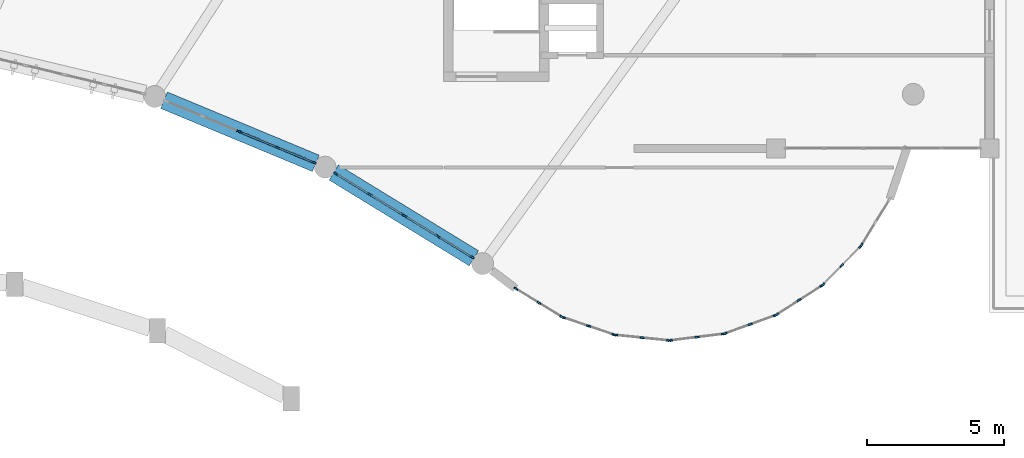
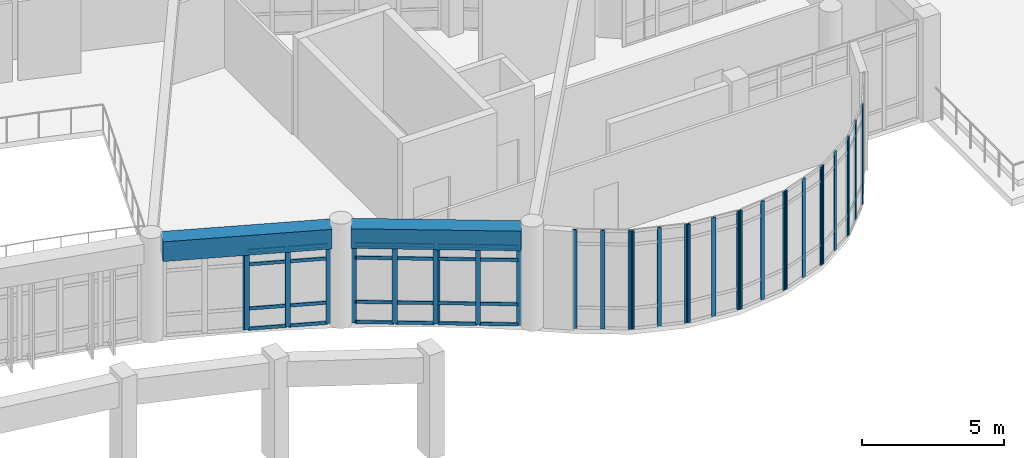
# One storey, part 16 of 54: 56 members, 2 beams, 12 elements without a shape of their own.
"""IFC4 building model written with IfcOpenShell, lengths in metres."""

from ifc_helpers import new_model, si_unit, direction, frame, origin, origin_2d, place, context, subcontext, project, spatial, rectangle, extrude, material, layer, layer_set, material_profile, profile_set, type_object, element, aggregate, save


model = new_model("IFC4")

# Units and contexts
model_context = context("Model", 3, precision=1e-05, world=origin(), true_north=direction((0.0, 1.0)))
body_context = subcontext(model_context, "Body", "Model", "MODEL_VIEW")
ifc_project = project(units=[si_unit("LENGTHUNIT", "METRE"), si_unit("AREAUNIT", "SQUARE_METRE"), si_unit("VOLUMEUNIT", "CUBIC_METRE"), si_unit("PLANEANGLEUNIT", "RADIAN"), si_unit("MASSUNIT", "GRAM", prefix="KILO")], contexts=[model_context])

# Site, building, storey
site_placement = place(None, origin())
site = spatial("IfcSite", under=ifc_project, at=site_placement, CompositionType="ELEMENT")
building_placement = place(site_placement, origin())
building = spatial("IfcBuilding", under=site, at=building_placement, Name="Miralva Faculty of Natural Sciences", CompositionType="ELEMENT")
storey_placement = place(building_placement, frame((0.0, 0.0, 19.5)))
storey = spatial("IfcBuildingStorey", under=building, at=storey_placement, Name="L04", CompositionType="ELEMENT", Elevation=19.5)

# Beams
ifc_material_1 = material(Name="Concrete C40/50", Category="concrete")
ifc_material_profile_1 = material_profile(ifc_material_1, rectangle(XDim=0.64990234375, YDim=0.85009765625, at=origin_2d()), Name="RC 650x850")
ifc_profile_set_1 = profile_set([ifc_material_profile_1], Name="Concrete C40/50")
beam_type = type_object("IfcBeamType", Name="BM-SP03", PredefinedType="SPANDREL", material=ifc_profile_set_1)
beam_1_placement = place(storey_placement, frame((114.9560546875, 13.982177734375, 3.8349609375), z_axis=(-0.85286755932, 0.52212730848, 0.0), x_axis=(-0.52212730848, -0.85286755932, 0.0)))
element("IfcBeam", 1, at=beam_1_placement, inside=storey, type_object=beam_type, Name="Curved chord girder ARCIN L04-1", PredefinedType="SPANDREL", context=body_context, shape_type="SweptSolid", body=[
    extrude(rectangle(XDim=0.64990234375, YDim=0.85009765625, at=origin_2d()), origin(), (0.0, 0.0, 1.0), 6.005615234375),
])
beam_2_placement = place(storey_placement, frame((109.18017578125, 17.451416015625, 3.8349609375), z_axis=(-0.923386658192, 0.383871175621, 0.0), x_axis=(-0.383871175621, -0.923386658192, 0.0)))
element("IfcBeam", 2, at=beam_2_placement, inside=storey, type_object=beam_type, Name="Curved chord girder ARCIN L04-2", PredefinedType="SPANDREL", context=body_context, shape_type="SweptSolid", body=[
    extrude(rectangle(XDim=0.64990234375, YDim=0.85009765625, at=origin_2d()), origin(), (0.0, 0.0, 1.0), 6.0107421875),
])

# Curtain wall, member
ifc_material_2 = material(Name="Laminated solar-control glass", Category="glass")
ifc_layer_1 = layer(ifc_material_2, 0.179931640625, Name="CW-ARC-L03")
ifc_layer_set_1 = layer_set([ifc_layer_1], Name="Laminated solar-control glass")
curtain_wall_type_1 = type_object("IfcCurtainWallType", Name="CW-ARC-L03", PredefinedType="USERDEFINED", material=ifc_layer_set_1)
curtain_wall_1_placement = place(storey_placement, origin())
curtain_wall_1 = element("IfcCurtainWall", 3, at=curtain_wall_1_placement, inside=storey, type_object=curtain_wall_type_1, Name="Curtain wall CW-03 L04-169", ObjectType="UNITISED CURTAIN WALL", PredefinedType="USERDEFINED")
ifc_material_3 = material(Name="Anodised aluminium", Category="aluminium")
ifc_material_profile_2 = material_profile(ifc_material_3, rectangle(XDim=0.06494140625, YDim=0.179931640625, at=origin_2d()), Name="MULLION 65x180")
ifc_profile_set_2 = profile_set([ifc_material_profile_2], Name="Anodised aluminium")
member_type_1 = type_object("IfcMemberType", Name="CW-M01", PredefinedType="MULLION", material=ifc_profile_set_2)
member_1_placement = place(storey_placement, frame((106.374755859375, 18.616943359375, 0.0), z_axis=(0.0, 0.0, 1.0), x_axis=(0.382656259046, 0.9238907876, 0.0)))
member_1 = element("IfcMember", 4, at=member_1_placement, type_object=member_type_1, Name="CW-03 mullion 3", PredefinedType="MULLION", context=body_context, shape_type="SweptSolid", body=[
    extrude(rectangle(XDim=0.06494140625, YDim=0.179931640625, at=origin_2d()), origin(), (0.0, 0.0, 1.0), 3.405029296875),
])
aggregate(curtain_wall_1, [member_1])

# Curtain wall, members
curtain_wall_2_placement = place(storey_placement, origin())
curtain_wall_2 = element("IfcCurtainWall", 5, at=curtain_wall_2_placement, inside=storey, type_object=curtain_wall_type_1, Name="Curtain wall CW-03 L04-170", ObjectType="UNITISED CURTAIN WALL", PredefinedType="USERDEFINED")
member_2_placement = place(storey_placement, frame((106.43017578125, 18.59375, 0.0), z_axis=(0.0, 0.0, 1.0), x_axis=(0.382695483705, 0.923874540591, 0.0)))
member_2 = element("IfcMember", 6, at=member_2_placement, type_object=member_type_1, Name="CW-03 mullion 1", PredefinedType="MULLION", context=body_context, shape_type="SweptSolid", body=[
    extrude(rectangle(XDim=0.06494140625, YDim=0.179931640625, at=origin_2d()), origin(), (0.0, 0.0, 1.0), 3.405029296875),
])
member_3_placement = place(storey_placement, frame((107.76904296875, 18.039306640625, 0.0), z_axis=(0.0, 0.0, 1.0), x_axis=(0.382695483705, 0.923874540591, 0.0)))
member_3 = element("IfcMember", 7, at=member_3_placement, type_object=member_type_1, Name="CW-03 mullion 2", PredefinedType="MULLION", context=body_context, shape_type="SweptSolid", body=[
    extrude(rectangle(XDim=0.06494140625, YDim=0.179931640625, at=origin_2d()), origin(), (0.0, 0.0, 1.0), 3.405029296875),
])
member_4_placement = place(storey_placement, frame((109.108154296875, 17.484619140625, 0.0), z_axis=(0.0, 0.0, 1.0), x_axis=(0.382695483705, 0.923874540591, 0.0)))
member_4 = element("IfcMember", 8, at=member_4_placement, type_object=member_type_1, Name="CW-03 mullion 3", PredefinedType="MULLION", context=body_context, shape_type="SweptSolid", body=[
    extrude(rectangle(XDim=0.06494140625, YDim=0.179931640625, at=origin_2d()), origin(), (0.0, 0.0, 1.0), 3.405029296875),
])

curtain_wall_3_placement = place(storey_placement, origin())
curtain_wall_3 = element("IfcCurtainWall", 9, at=curtain_wall_3_placement, inside=storey, type_object=curtain_wall_type_1, Name="Curtain wall CW-03 L04-171", ObjectType="UNITISED CURTAIN WALL", PredefinedType="USERDEFINED")
member_5_placement = place(storey_placement, frame((109.91162109375, 17.07421875, 0.0), z_axis=(0.0, 0.0, 1.0), x_axis=(0.522482534269, 0.852649987617, 0.0)))
member_5 = element("IfcMember", 10, at=member_5_placement, type_object=member_type_1, Name="CW-03 mullion 1", PredefinedType="MULLION", context=body_context, shape_type="SweptSolid", body=[
    extrude(rectangle(XDim=0.06494140625, YDim=0.179931640625, at=origin_2d()), origin(), (0.0, 0.0, 1.0), 3.405029296875),
])
member_6_placement = place(storey_placement, frame((111.14111328125, 16.32080078125, 0.0), z_axis=(0.0, 0.0, 1.0), x_axis=(0.522482534269, 0.852649987617, 0.0)))
member_6 = element("IfcMember", 11, at=member_6_placement, type_object=member_type_1, Name="CW-03 mullion 2", PredefinedType="MULLION", context=body_context, shape_type="SweptSolid", body=[
    extrude(rectangle(XDim=0.06494140625, YDim=0.179931640625, at=origin_2d()), origin(), (0.0, 0.0, 1.0), 3.405029296875),
])
member_7_placement = place(storey_placement, frame((112.37060546875, 15.5673828125, 0.0), z_axis=(0.0, 0.0, 1.0), x_axis=(0.522482534269, 0.852649987617, 0.0)))
member_7 = element("IfcMember", 12, at=member_7_placement, type_object=member_type_1, Name="CW-03 mullion 3", PredefinedType="MULLION", context=body_context, shape_type="SweptSolid", body=[
    extrude(rectangle(XDim=0.06494140625, YDim=0.179931640625, at=origin_2d()), origin(), (0.0, 0.0, 1.0), 3.405029296875),
])

curtain_wall_4_placement = place(storey_placement, origin())
curtain_wall_4 = element("IfcCurtainWall", 13, at=curtain_wall_4_placement, inside=storey, type_object=curtain_wall_type_1, Name="Curtain wall CW-03 L04-172", ObjectType="UNITISED CURTAIN WALL", PredefinedType="USERDEFINED")
member_8_placement = place(storey_placement, frame((112.421630859375, 15.5361328125, 0.0), z_axis=(0.0, 0.0, 1.0), x_axis=(0.522489018681, 0.852646014098, 0.0)))
member_8 = element("IfcMember", 14, at=member_8_placement, type_object=member_type_1, Name="CW-03 mullion 1", PredefinedType="MULLION", context=body_context, shape_type="SweptSolid", body=[
    extrude(rectangle(XDim=0.06494140625, YDim=0.179931640625, at=origin_2d()), origin(), (0.0, 0.0, 1.0), 3.405029296875),
])
member_9_placement = place(storey_placement, frame((113.653076171875, 14.781494140625, 0.0), z_axis=(0.0, 0.0, 1.0), x_axis=(0.522489018681, 0.852646014098, 0.0)))
member_9 = element("IfcMember", 15, at=member_9_placement, type_object=member_type_1, Name="CW-03 mullion 2", PredefinedType="MULLION", context=body_context, shape_type="SweptSolid", body=[
    extrude(rectangle(XDim=0.06494140625, YDim=0.179931640625, at=origin_2d()), origin(), (0.0, 0.0, 1.0), 3.405029296875),
])
member_10_placement = place(storey_placement, frame((114.884765625, 14.02685546875, 0.0), z_axis=(0.0, 0.0, 1.0), x_axis=(0.522489018681, 0.852646014098, 0.0)))
member_10 = element("IfcMember", 16, at=member_10_placement, type_object=member_type_1, Name="CW-03 mullion 3", PredefinedType="MULLION", context=body_context, shape_type="SweptSolid", body=[
    extrude(rectangle(XDim=0.06494140625, YDim=0.179931640625, at=origin_2d()), origin(), (0.0, 0.0, 1.0), 3.405029296875),
])

# Curtain wall, member
ifc_layer_2 = layer(ifc_material_2, 0.179931640625, Name="CW-RND-L03")
ifc_layer_set_2 = layer_set([ifc_layer_2], Name="Laminated solar-control glass")
curtain_wall_type_2 = type_object("IfcCurtainWallType", Name="CW-RND-L03", PredefinedType="USERDEFINED", material=ifc_layer_set_2)
curtain_wall_5_placement = place(storey_placement, origin())
curtain_wall_5 = element("IfcCurtainWall", 17, at=curtain_wall_5_placement, inside=storey, type_object=curtain_wall_type_2, Name="Curtain wall CW-06 L04-197", ObjectType="UNITISED CURTAIN WALL", PredefinedType="USERDEFINED")
ifc_material_profile_3 = material_profile(ifc_material_3, rectangle(XDim=0.06494140625, YDim=0.159912109375, at=origin_2d()), Name="MULLION 65x160")
ifc_profile_set_3 = profile_set([ifc_material_profile_3], Name="Anodised aluminium")
member_type_2 = type_object("IfcMemberType", Name="CW-M02", PredefinedType="MULLION", material=ifc_profile_set_3)
member_11_placement = place(storey_placement, frame((129.12353515625, 14.46337890625, 0.0), z_axis=(0.0, 0.0, 1.0), x_axis=(-0.851994617353, 0.523550543884, 0.0)))
member_11 = element("IfcMember", 18, at=member_11_placement, type_object=member_type_2, Name="CW-06 mullion 1", PredefinedType="MULLION", context=body_context, shape_type="SweptSolid", body=[
    extrude(rectangle(XDim=0.06494140625, YDim=0.159912109375, at=origin_2d()), origin(), (0.0, 0.0, 1.0), 4.25),
])
aggregate(curtain_wall_5, [member_11])

# Curtain wall, members
curtain_wall_6_placement = place(storey_placement, origin())
curtain_wall_6 = element("IfcCurtainWall", 19, at=curtain_wall_6_placement, inside=storey, type_object=curtain_wall_type_2, Name="Curtain wall CW-06 L04-198", ObjectType="UNITISED CURTAIN WALL", PredefinedType="USERDEFINED")
member_12_placement = place(storey_placement, frame((127.718505859375, 13.01953125, 0.0), z_axis=(0.0, 0.0, 1.0), x_axis=(-0.714124749017, 0.700018458929, 0.0)))
member_12 = element("IfcMember", 20, at=member_12_placement, type_object=member_type_2, Name="CW-06 mullion 1", PredefinedType="MULLION", context=body_context, shape_type="SweptSolid", body=[
    extrude(rectangle(XDim=0.06494140625, YDim=0.159912109375, at=origin_2d()), origin(), (0.0, 0.0, 1.0), 4.25),
])
member_13_placement = place(storey_placement, frame((128.40283203125, 13.7177734375, 0.0), z_axis=(0.0, 0.0, 1.0), x_axis=(-0.714124749017, 0.700018458929, 0.0)))
member_13 = element("IfcMember", 21, at=member_13_placement, type_object=member_type_2, Name="CW-06 mullion 2", PredefinedType="MULLION", context=body_context, shape_type="SweptSolid", body=[
    extrude(rectangle(XDim=0.06494140625, YDim=0.159912109375, at=origin_2d()), origin(), (0.0, 0.0, 1.0), 4.25),
])
member_14_placement = place(storey_placement, frame((129.087158203125, 14.416015625, 0.0), z_axis=(0.0, 0.0, 1.0), x_axis=(-0.714124749017, 0.700018458929, 0.0)))
member_14 = element("IfcMember", 22, at=member_14_placement, type_object=member_type_2, Name="CW-06 mullion 3", PredefinedType="MULLION", context=body_context, shape_type="SweptSolid", body=[
    extrude(rectangle(XDim=0.06494140625, YDim=0.159912109375, at=origin_2d()), origin(), (0.0, 0.0, 1.0), 4.25),
])
aggregate(curtain_wall_6, [member_12, member_13, member_14])

curtain_wall_7_placement = place(storey_placement, origin())
curtain_wall_7 = element("IfcCurtainWall", 23, at=curtain_wall_7_placement, inside=storey, type_object=curtain_wall_type_2, Name="Curtain wall CW-06 L04-199", ObjectType="UNITISED CURTAIN WALL", PredefinedType="USERDEFINED")
member_15_placement = place(storey_placement, frame((126.02734375, 11.9248046875, 0.0), z_axis=(0.0, 0.0, 1.0), x_axis=(-0.540444854725, 0.841379438185, 0.0)))
member_15 = element("IfcMember", 24, at=member_15_placement, type_object=member_type_2, Name="CW-06 mullion 1", PredefinedType="MULLION", context=body_context, shape_type="SweptSolid", body=[
    extrude(rectangle(XDim=0.06494140625, YDim=0.159912109375, at=origin_2d()), origin(), (0.0, 0.0, 1.0), 4.25),
])
member_16_placement = place(storey_placement, frame((126.849853515625, 12.453125, 0.0), z_axis=(0.0, 0.0, 1.0), x_axis=(-0.540444854725, 0.841379438185, 0.0)))
member_16 = element("IfcMember", 25, at=member_16_placement, type_object=member_type_2, Name="CW-06 mullion 2", PredefinedType="MULLION", context=body_context, shape_type="SweptSolid", body=[
    extrude(rectangle(XDim=0.06494140625, YDim=0.159912109375, at=origin_2d()), origin(), (0.0, 0.0, 1.0), 4.25),
])
member_17_placement = place(storey_placement, frame((127.672607421875, 12.9814453125, 0.0), z_axis=(0.0, 0.0, 1.0), x_axis=(-0.540444854725, 0.841379438185, 0.0)))
member_17 = element("IfcMember", 26, at=member_17_placement, type_object=member_type_2, Name="CW-06 mullion 3", PredefinedType="MULLION", context=body_context, shape_type="SweptSolid", body=[
    extrude(rectangle(XDim=0.06494140625, YDim=0.159912109375, at=origin_2d()), origin(), (0.0, 0.0, 1.0), 4.25),
])
aggregate(curtain_wall_7, [member_15, member_16, member_17])

curtain_wall_8_placement = place(storey_placement, origin())
curtain_wall_8 = element("IfcCurtainWall", 27, at=curtain_wall_8_placement, inside=storey, type_object=curtain_wall_type_2, Name="Curtain wall CW-06 L04-200", ObjectType="UNITISED CURTAIN WALL", PredefinedType="USERDEFINED")
member_18_placement = place(storey_placement, frame((124.135009765625, 11.233642578125, 0.0), z_axis=(0.0, 0.0, 1.0), x_axis=(-0.339695547876, 0.940535451088, 0.0)))
member_18 = element("IfcMember", 28, at=member_18_placement, type_object=member_type_2, Name="CW-06 mullion 1", PredefinedType="MULLION", context=body_context, shape_type="SweptSolid", body=[
    extrude(rectangle(XDim=0.06494140625, YDim=0.159912109375, at=origin_2d()), origin(), (0.0, 0.0, 1.0), 4.25),
])
member_19_placement = place(storey_placement, frame((125.0546875, 11.565673828125, 0.0), z_axis=(0.0, 0.0, 1.0), x_axis=(-0.339695547876, 0.940535451088, 0.0)))
member_19 = element("IfcMember", 29, at=member_19_placement, type_object=member_type_2, Name="CW-06 mullion 2", PredefinedType="MULLION", context=body_context, shape_type="SweptSolid", body=[
    extrude(rectangle(XDim=0.06494140625, YDim=0.159912109375, at=origin_2d()), origin(), (0.0, 0.0, 1.0), 4.25),
])
member_20_placement = place(storey_placement, frame((125.97412109375, 11.89794921875, 0.0), z_axis=(0.0, 0.0, 1.0), x_axis=(-0.339695547876, 0.940535451088, 0.0)))
member_20 = element("IfcMember", 30, at=member_20_placement, type_object=member_type_2, Name="CW-06 mullion 3", PredefinedType="MULLION", context=body_context, shape_type="SweptSolid", body=[
    extrude(rectangle(XDim=0.06494140625, YDim=0.159912109375, at=origin_2d()), origin(), (0.0, 0.0, 1.0), 4.25),
])
aggregate(curtain_wall_8, [member_18, member_19, member_20])

curtain_wall_9_placement = place(storey_placement, origin())
curtain_wall_9 = element("IfcCurtainWall", 31, at=curtain_wall_9_placement, inside=storey, type_object=curtain_wall_type_2, Name="Curtain wall CW-06 L04-201", ObjectType="UNITISED CURTAIN WALL", PredefinedType="USERDEFINED")
member_21_placement = place(storey_placement, frame((122.136474609375, 10.98095703125, 0.0), z_axis=(0.0, 0.0, 1.0), x_axis=(-0.121859649701, 0.99254734183, 0.0)))
member_21 = element("IfcMember", 32, at=member_21_placement, type_object=member_type_2, Name="CW-06 mullion 1", PredefinedType="MULLION", context=body_context, shape_type="SweptSolid", body=[
    extrude(rectangle(XDim=0.06494140625, YDim=0.159912109375, at=origin_2d()), origin(), (0.0, 0.0, 1.0), 4.25),
])
member_22_placement = place(storey_placement, frame((123.10693359375, 11.10009765625, 0.0), z_axis=(0.0, 0.0, 1.0), x_axis=(-0.121859649701, 0.99254734183, 0.0)))
member_22 = element("IfcMember", 33, at=member_22_placement, type_object=member_type_2, Name="CW-06 mullion 2", PredefinedType="MULLION", context=body_context, shape_type="SweptSolid", body=[
    extrude(rectangle(XDim=0.06494140625, YDim=0.159912109375, at=origin_2d()), origin(), (0.0, 0.0, 1.0), 4.25),
])
member_23_placement = place(storey_placement, frame((124.0771484375, 11.21923828125, 0.0), z_axis=(0.0, 0.0, 1.0), x_axis=(-0.121859649701, 0.99254734183, 0.0)))
member_23 = element("IfcMember", 34, at=member_23_placement, type_object=member_type_2, Name="CW-06 mullion 3", PredefinedType="MULLION", context=body_context, shape_type="SweptSolid", body=[
    extrude(rectangle(XDim=0.06494140625, YDim=0.159912109375, at=origin_2d()), origin(), (0.0, 0.0, 1.0), 4.25),
])
aggregate(curtain_wall_9, [member_21, member_22, member_23])

curtain_wall_10_placement = place(storey_placement, origin())
curtain_wall_10 = element("IfcCurtainWall", 35, at=curtain_wall_10_placement, inside=storey, type_object=curtain_wall_type_2, Name="Curtain wall CW-06 L04-202", ObjectType="UNITISED CURTAIN WALL", PredefinedType="USERDEFINED")
member_24_placement = place(storey_placement, frame((120.131591796875, 11.179443359375, 0.0), z_axis=(0.0, 0.0, 1.0), x_axis=(0.102056494477, 0.994778604482, 0.0)))
member_24 = element("IfcMember", 36, at=member_24_placement, type_object=member_type_2, Name="CW-06 mullion 1", PredefinedType="MULLION", context=body_context, shape_type="SweptSolid", body=[
    extrude(rectangle(XDim=0.06494140625, YDim=0.159912109375, at=origin_2d()), origin(), (0.0, 0.0, 1.0), 4.25),
])
member_25_placement = place(storey_placement, frame((121.104248046875, 11.07958984375, 0.0), z_axis=(0.0, 0.0, 1.0), x_axis=(0.102056494477, 0.994778604482, 0.0)))
member_25 = element("IfcMember", 37, at=member_25_placement, type_object=member_type_2, Name="CW-06 mullion 2", PredefinedType="MULLION", context=body_context, shape_type="SweptSolid", body=[
    extrude(rectangle(XDim=0.06494140625, YDim=0.159912109375, at=origin_2d()), origin(), (0.0, 0.0, 1.0), 4.25),
])
member_26_placement = place(storey_placement, frame((122.076904296875, 10.979736328125, 0.0), z_axis=(0.0, 0.0, 1.0), x_axis=(0.102056494477, 0.994778604482, 0.0)))
member_26 = element("IfcMember", 38, at=member_26_placement, type_object=member_type_2, Name="CW-06 mullion 3", PredefinedType="MULLION", context=body_context, shape_type="SweptSolid", body=[
    extrude(rectangle(XDim=0.06494140625, YDim=0.159912109375, at=origin_2d()), origin(), (0.0, 0.0, 1.0), 4.25),
])
aggregate(curtain_wall_10, [member_24, member_25, member_26])

curtain_wall_11_placement = place(storey_placement, origin())
curtain_wall_11 = element("IfcCurtainWall", 39, at=curtain_wall_11_placement, inside=storey, type_object=curtain_wall_type_2, Name="Curtain wall CW-06 L04-203", ObjectType="UNITISED CURTAIN WALL", PredefinedType="USERDEFINED")
member_27_placement = place(storey_placement, frame((118.22119140625, 11.81884765625, 0.0), z_axis=(0.0, 0.0, 1.0), x_axis=(0.320842126361, 0.947132688672, 0.0)))
member_27 = element("IfcMember", 40, at=member_27_placement, type_object=member_type_2, Name="CW-06 mullion 1", PredefinedType="MULLION", context=body_context, shape_type="SweptSolid", body=[
    extrude(rectangle(XDim=0.06494140625, YDim=0.159912109375, at=origin_2d()), origin(), (0.0, 0.0, 1.0), 4.25),
])
member_28_placement = place(storey_placement, frame((119.147216796875, 11.505126953125, 0.0), z_axis=(0.0, 0.0, 1.0), x_axis=(0.320842126361, 0.947132688672, 0.0)))
member_28 = element("IfcMember", 41, at=member_28_placement, type_object=member_type_2, Name="CW-06 mullion 2", PredefinedType="MULLION", context=body_context, shape_type="SweptSolid", body=[
    extrude(rectangle(XDim=0.06494140625, YDim=0.159912109375, at=origin_2d()), origin(), (0.0, 0.0, 1.0), 4.25),
])
member_29_placement = place(storey_placement, frame((120.0732421875, 11.19140625, 0.0), z_axis=(0.0, 0.0, 1.0), x_axis=(0.320842126361, 0.947132688672, 0.0)))
member_29 = element("IfcMember", 42, at=member_29_placement, type_object=member_type_2, Name="CW-06 mullion 3", PredefinedType="MULLION", context=body_context, shape_type="SweptSolid", body=[
    extrude(rectangle(XDim=0.06494140625, YDim=0.159912109375, at=origin_2d()), origin(), (0.0, 0.0, 1.0), 4.25),
])
aggregate(curtain_wall_11, [member_27, member_28, member_29])

curtain_wall_12_placement = place(storey_placement, origin())
curtain_wall_12 = element("IfcCurtainWall", 43, at=curtain_wall_12_placement, inside=storey, type_object=curtain_wall_type_2, Name="Curtain wall CW-06 L04-204", ObjectType="UNITISED CURTAIN WALL", PredefinedType="USERDEFINED")
member_30_placement = place(storey_placement, frame((116.496826171875, 12.8701171875, 0.0), z_axis=(0.0, 0.0, 1.0), x_axis=(0.523535366458, 0.852003943693, 0.0)))
member_30 = element("IfcMember", 44, at=member_30_placement, type_object=member_type_2, Name="CW-06 mullion 1", PredefinedType="MULLION", context=body_context, shape_type="SweptSolid", body=[
    extrude(rectangle(XDim=0.06494140625, YDim=0.159912109375, at=origin_2d()), origin(), (0.0, 0.0, 1.0), 4.25),
])
member_31_placement = place(storey_placement, frame((117.33203125, 12.35693359375, 0.0), z_axis=(0.0, 0.0, 1.0), x_axis=(0.523535366458, 0.852003943693, 0.0)))
member_31 = element("IfcMember", 45, at=member_31_placement, type_object=member_type_2, Name="CW-06 mullion 2", PredefinedType="MULLION", context=body_context, shape_type="SweptSolid", body=[
    extrude(rectangle(XDim=0.06494140625, YDim=0.159912109375, at=origin_2d()), origin(), (0.0, 0.0, 1.0), 4.25),
])
member_32_placement = place(storey_placement, frame((118.1669921875, 11.84375, 0.0), z_axis=(0.0, 0.0, 1.0), x_axis=(0.523535366458, 0.852003943693, 0.0)))
member_32 = element("IfcMember", 46, at=member_32_placement, type_object=member_type_2, Name="CW-06 mullion 3", PredefinedType="MULLION", context=body_context, shape_type="SweptSolid", body=[
    extrude(rectangle(XDim=0.06494140625, YDim=0.159912109375, at=origin_2d()), origin(), (0.0, 0.0, 1.0), 4.25),
])
aggregate(curtain_wall_12, [member_30, member_31, member_32])

# Member
ifc_material_profile_4 = material_profile(ifc_material_3, rectangle(XDim=0.06494140625, YDim=0.139892578125, at=origin_2d()), Name="TRANSOM 65x140")
ifc_profile_set_4 = profile_set([ifc_material_profile_4], Name="Anodised aluminium")
member_type_3 = type_object("IfcMemberType", Name="CW-T01", PredefinedType="USERDEFINED", material=ifc_profile_set_4)
member_33_placement = place(storey_placement, frame((106.460205078125, 18.58154296875, 0.032470703125), z_axis=(0.923857745483, -0.38273602667, 0.0), x_axis=(0.38273602667, 0.923857745483, 0.0)))
member_33 = element("IfcMember", 47, at=member_33_placement, type_object=member_type_3, Name="CW-03 transom 1.1", ObjectType="TRANSOM", PredefinedType="USERDEFINED", context=body_context, shape_type="SweptSolid", body=[
    extrude(rectangle(XDim=0.06494140625, YDim=0.139892578125, at=origin_2d()), origin(), (0.0, 0.0, 1.0), 1.38427734375),
])

member_34_placement = place(storey_placement, frame((106.460205078125, 18.58154296875, 0.89990234375), z_axis=(0.923857745483, -0.38273602667, 0.0), x_axis=(0.38273602667, 0.923857745483, 0.0)))
member_34 = element("IfcMember", 48, at=member_34_placement, type_object=member_type_3, Name="CW-03 transom 1.2", ObjectType="TRANSOM", PredefinedType="USERDEFINED", context=body_context, shape_type="SweptSolid", body=[
    extrude(rectangle(XDim=0.06494140625, YDim=0.139892578125, at=origin_2d()), origin(), (0.0, 0.0, 1.0), 1.38427734375),
])

member_35_placement = place(storey_placement, frame((106.460205078125, 18.58154296875, 2.804931640625), z_axis=(0.923857745483, -0.38273602667, 0.0), x_axis=(0.38273602667, 0.923857745483, 0.0)))
member_35 = element("IfcMember", 49, at=member_35_placement, type_object=member_type_3, Name="CW-03 transom 1.3", ObjectType="TRANSOM", PredefinedType="USERDEFINED", context=body_context, shape_type="SweptSolid", body=[
    extrude(rectangle(XDim=0.06494140625, YDim=0.139892578125, at=origin_2d()), origin(), (0.0, 0.0, 1.0), 1.38427734375),
])

member_36_placement = place(storey_placement, frame((106.460205078125, 18.58154296875, 3.37255859375), z_axis=(0.923857745483, -0.38273602667, 0.0), x_axis=(0.38273602667, 0.923857745483, 0.0)))
member_36 = element("IfcMember", 50, at=member_36_placement, type_object=member_type_3, Name="CW-03 transom 1.4", ObjectType="TRANSOM", PredefinedType="USERDEFINED", context=body_context, shape_type="SweptSolid", body=[
    extrude(rectangle(XDim=0.06494140625, YDim=0.139892578125, at=origin_2d()), origin(), (0.0, 0.0, 1.0), 1.38427734375),
])

member_37_placement = place(storey_placement, frame((107.799072265625, 18.02685546875, 0.032470703125), z_axis=(0.923883575944, -0.382673670509, 0.0), x_axis=(0.382673670509, 0.923883575944, 0.0)))
member_37 = element("IfcMember", 51, at=member_37_placement, type_object=member_type_3, Name="CW-03 transom 2.1", ObjectType="TRANSOM", PredefinedType="USERDEFINED", context=body_context, shape_type="SweptSolid", body=[
    extrude(rectangle(XDim=0.06494140625, YDim=0.139892578125, at=origin_2d()), origin(), (0.0, 0.0, 1.0), 1.384521484375),
])

member_38_placement = place(storey_placement, frame((107.799072265625, 18.02685546875, 0.89990234375), z_axis=(0.923883575944, -0.382673670509, 0.0), x_axis=(0.382673670509, 0.923883575944, 0.0)))
member_38 = element("IfcMember", 52, at=member_38_placement, type_object=member_type_3, Name="CW-03 transom 2.2", ObjectType="TRANSOM", PredefinedType="USERDEFINED", context=body_context, shape_type="SweptSolid", body=[
    extrude(rectangle(XDim=0.06494140625, YDim=0.139892578125, at=origin_2d()), origin(), (0.0, 0.0, 1.0), 1.384521484375),
])

member_39_placement = place(storey_placement, frame((107.799072265625, 18.02685546875, 2.804931640625), z_axis=(0.923883575944, -0.382673670509, 0.0), x_axis=(0.382673670509, 0.923883575944, 0.0)))
member_39 = element("IfcMember", 53, at=member_39_placement, type_object=member_type_3, Name="CW-03 transom 2.3", ObjectType="TRANSOM", PredefinedType="USERDEFINED", context=body_context, shape_type="SweptSolid", body=[
    extrude(rectangle(XDim=0.06494140625, YDim=0.139892578125, at=origin_2d()), origin(), (0.0, 0.0, 1.0), 1.384521484375),
])

member_40_placement = place(storey_placement, frame((107.799072265625, 18.02685546875, 3.37255859375), z_axis=(0.923883575944, -0.382673670509, 0.0), x_axis=(0.382673670509, 0.923883575944, 0.0)))
member_40 = element("IfcMember", 54, at=member_40_placement, type_object=member_type_3, Name="CW-03 transom 2.4", ObjectType="TRANSOM", PredefinedType="USERDEFINED", context=body_context, shape_type="SweptSolid", body=[
    extrude(rectangle(XDim=0.06494140625, YDim=0.139892578125, at=origin_2d()), origin(), (0.0, 0.0, 1.0), 1.384521484375),
])

aggregate(curtain_wall_2, [member_2, member_3, member_4, member_33, member_34, member_35, member_36, member_37, member_38, member_39, member_40])

member_41_placement = place(storey_placement, frame((109.939208984375, 17.05712890625, 0.032470703125), z_axis=(0.852715910973, -0.522374937352, 0.0), x_axis=(0.522374937352, 0.852715910973, 0.0)))
member_41 = element("IfcMember", 55, at=member_41_placement, type_object=member_type_3, Name="CW-03 transom 1.1", ObjectType="TRANSOM", PredefinedType="USERDEFINED", context=body_context, shape_type="SweptSolid", body=[
    extrude(rectangle(XDim=0.06494140625, YDim=0.139892578125, at=origin_2d()), origin(), (0.0, 0.0, 1.0), 1.376953125),
])

member_42_placement = place(storey_placement, frame((109.939208984375, 17.05712890625, 0.89990234375), z_axis=(0.852715910973, -0.522374937352, 0.0), x_axis=(0.522374937352, 0.852715910973, 0.0)))
member_42 = element("IfcMember", 56, at=member_42_placement, type_object=member_type_3, Name="CW-03 transom 1.2", ObjectType="TRANSOM", PredefinedType="USERDEFINED", context=body_context, shape_type="SweptSolid", body=[
    extrude(rectangle(XDim=0.06494140625, YDim=0.139892578125, at=origin_2d()), origin(), (0.0, 0.0, 1.0), 1.376953125),
])

member_43_placement = place(storey_placement, frame((109.939208984375, 17.05712890625, 2.804931640625), z_axis=(0.852715910973, -0.522374937352, 0.0), x_axis=(0.522374937352, 0.852715910973, 0.0)))
member_43 = element("IfcMember", 57, at=member_43_placement, type_object=member_type_3, Name="CW-03 transom 1.3", ObjectType="TRANSOM", PredefinedType="USERDEFINED", context=body_context, shape_type="SweptSolid", body=[
    extrude(rectangle(XDim=0.06494140625, YDim=0.139892578125, at=origin_2d()), origin(), (0.0, 0.0, 1.0), 1.376953125),
])

member_44_placement = place(storey_placement, frame((109.939208984375, 17.05712890625, 3.37255859375), z_axis=(0.852715910973, -0.522374937352, 0.0), x_axis=(0.522374937352, 0.852715910973, 0.0)))
member_44 = element("IfcMember", 58, at=member_44_placement, type_object=member_type_3, Name="CW-03 transom 1.4", ObjectType="TRANSOM", PredefinedType="USERDEFINED", context=body_context, shape_type="SweptSolid", body=[
    extrude(rectangle(XDim=0.06494140625, YDim=0.139892578125, at=origin_2d()), origin(), (0.0, 0.0, 1.0), 1.376953125),
])

member_45_placement = place(storey_placement, frame((111.168701171875, 16.303955078125, 0.032470703125), z_axis=(0.852636925059, -0.522503850728, 0.0), x_axis=(0.522503850728, 0.852636925059, 0.0)))
member_45 = element("IfcMember", 59, at=member_45_placement, type_object=member_type_3, Name="CW-03 transom 2.1", ObjectType="TRANSOM", PredefinedType="USERDEFINED", context=body_context, shape_type="SweptSolid", body=[
    extrude(rectangle(XDim=0.06494140625, YDim=0.139892578125, at=origin_2d()), origin(), (0.0, 0.0, 1.0), 1.376953125),
])

member_46_placement = place(storey_placement, frame((111.168701171875, 16.303955078125, 0.89990234375), z_axis=(0.852636925059, -0.522503850728, 0.0), x_axis=(0.522503850728, 0.852636925059, 0.0)))
member_46 = element("IfcMember", 60, at=member_46_placement, type_object=member_type_3, Name="CW-03 transom 2.2", ObjectType="TRANSOM", PredefinedType="USERDEFINED", context=body_context, shape_type="SweptSolid", body=[
    extrude(rectangle(XDim=0.06494140625, YDim=0.139892578125, at=origin_2d()), origin(), (0.0, 0.0, 1.0), 1.376953125),
])

member_47_placement = place(storey_placement, frame((111.168701171875, 16.303955078125, 2.804931640625), z_axis=(0.852636925059, -0.522503850728, 0.0), x_axis=(0.522503850728, 0.852636925059, 0.0)))
member_47 = element("IfcMember", 61, at=member_47_placement, type_object=member_type_3, Name="CW-03 transom 2.3", ObjectType="TRANSOM", PredefinedType="USERDEFINED", context=body_context, shape_type="SweptSolid", body=[
    extrude(rectangle(XDim=0.06494140625, YDim=0.139892578125, at=origin_2d()), origin(), (0.0, 0.0, 1.0), 1.376953125),
])

member_48_placement = place(storey_placement, frame((111.168701171875, 16.303955078125, 3.37255859375), z_axis=(0.852636925059, -0.522503850728, 0.0), x_axis=(0.522503850728, 0.852636925059, 0.0)))
member_48 = element("IfcMember", 62, at=member_48_placement, type_object=member_type_3, Name="CW-03 transom 2.4", ObjectType="TRANSOM", PredefinedType="USERDEFINED", context=body_context, shape_type="SweptSolid", body=[
    extrude(rectangle(XDim=0.06494140625, YDim=0.139892578125, at=origin_2d()), origin(), (0.0, 0.0, 1.0), 1.376953125),
])

aggregate(curtain_wall_3, [member_5, member_6, member_7, member_41, member_42, member_43, member_44, member_45, member_46, member_47, member_48])

member_49_placement = place(storey_placement, frame((112.44921875, 15.51904296875, 0.032470703125), z_axis=(0.852677549803, -0.522437552308, 0.0), x_axis=(0.522437552308, 0.852677549803, 0.0)))
member_49 = element("IfcMember", 63, at=member_49_placement, type_object=member_type_3, Name="CW-03 transom 1.1", ObjectType="TRANSOM", PredefinedType="USERDEFINED", context=body_context, shape_type="SweptSolid", body=[
    extrude(rectangle(XDim=0.06494140625, YDim=0.139892578125, at=origin_2d()), origin(), (0.0, 0.0, 1.0), 1.37939453125),
])

member_50_placement = place(storey_placement, frame((112.44921875, 15.51904296875, 0.89990234375), z_axis=(0.852677549803, -0.522437552308, 0.0), x_axis=(0.522437552308, 0.852677549803, 0.0)))
member_50 = element("IfcMember", 64, at=member_50_placement, type_object=member_type_3, Name="CW-03 transom 1.2", ObjectType="TRANSOM", PredefinedType="USERDEFINED", context=body_context, shape_type="SweptSolid", body=[
    extrude(rectangle(XDim=0.06494140625, YDim=0.139892578125, at=origin_2d()), origin(), (0.0, 0.0, 1.0), 1.37939453125),
])

member_51_placement = place(storey_placement, frame((112.44921875, 15.51904296875, 2.804931640625), z_axis=(0.852677549803, -0.522437552308, 0.0), x_axis=(0.522437552308, 0.852677549803, 0.0)))
member_51 = element("IfcMember", 65, at=member_51_placement, type_object=member_type_3, Name="CW-03 transom 1.3", ObjectType="TRANSOM", PredefinedType="USERDEFINED", context=body_context, shape_type="SweptSolid", body=[
    extrude(rectangle(XDim=0.06494140625, YDim=0.139892578125, at=origin_2d()), origin(), (0.0, 0.0, 1.0), 1.37939453125),
])

member_52_placement = place(storey_placement, frame((112.44921875, 15.51904296875, 3.37255859375), z_axis=(0.852677549803, -0.522437552308, 0.0), x_axis=(0.522437552308, 0.852677549803, 0.0)))
member_52 = element("IfcMember", 66, at=member_52_placement, type_object=member_type_3, Name="CW-03 transom 1.4", ObjectType="TRANSOM", PredefinedType="USERDEFINED", context=body_context, shape_type="SweptSolid", body=[
    extrude(rectangle(XDim=0.06494140625, YDim=0.139892578125, at=origin_2d()), origin(), (0.0, 0.0, 1.0), 1.37939453125),
])

member_53_placement = place(storey_placement, frame((113.680908203125, 14.764404296875, 0.032470703125), z_axis=(0.852629234455, -0.522516400272, 0.0), x_axis=(0.522516400272, 0.852629234455, 0.0)))
member_53 = element("IfcMember", 67, at=member_53_placement, type_object=member_type_3, Name="CW-03 transom 2.1", ObjectType="TRANSOM", PredefinedType="USERDEFINED", context=body_context, shape_type="SweptSolid", body=[
    extrude(rectangle(XDim=0.06494140625, YDim=0.139892578125, at=origin_2d()), origin(), (0.0, 0.0, 1.0), 1.37939453125),
])

member_54_placement = place(storey_placement, frame((113.680908203125, 14.764404296875, 0.89990234375), z_axis=(0.852629234455, -0.522516400272, 0.0), x_axis=(0.522516400272, 0.852629234455, 0.0)))
member_54 = element("IfcMember", 68, at=member_54_placement, type_object=member_type_3, Name="CW-03 transom 2.2", ObjectType="TRANSOM", PredefinedType="USERDEFINED", context=body_context, shape_type="SweptSolid", body=[
    extrude(rectangle(XDim=0.06494140625, YDim=0.139892578125, at=origin_2d()), origin(), (0.0, 0.0, 1.0), 1.37939453125),
])

member_55_placement = place(storey_placement, frame((113.680908203125, 14.764404296875, 2.804931640625), z_axis=(0.852629234455, -0.522516400272, 0.0), x_axis=(0.522516400272, 0.852629234455, 0.0)))
member_55 = element("IfcMember", 69, at=member_55_placement, type_object=member_type_3, Name="CW-03 transom 2.3", ObjectType="TRANSOM", PredefinedType="USERDEFINED", context=body_context, shape_type="SweptSolid", body=[
    extrude(rectangle(XDim=0.06494140625, YDim=0.139892578125, at=origin_2d()), origin(), (0.0, 0.0, 1.0), 1.37939453125),
])

member_56_placement = place(storey_placement, frame((113.680908203125, 14.764404296875, 3.37255859375), z_axis=(0.852629234455, -0.522516400272, 0.0), x_axis=(0.522516400272, 0.852629234455, 0.0)))
member_56 = element("IfcMember", 70, at=member_56_placement, type_object=member_type_3, Name="CW-03 transom 2.4", ObjectType="TRANSOM", PredefinedType="USERDEFINED", context=body_context, shape_type="SweptSolid", body=[
    extrude(rectangle(XDim=0.06494140625, YDim=0.139892578125, at=origin_2d()), origin(), (0.0, 0.0, 1.0), 1.37939453125),
])

aggregate(curtain_wall_4, [member_8, member_9, member_10, member_49, member_50, member_51, member_52, member_53, member_54, member_55, member_56])

save(model, "model.ifc")
